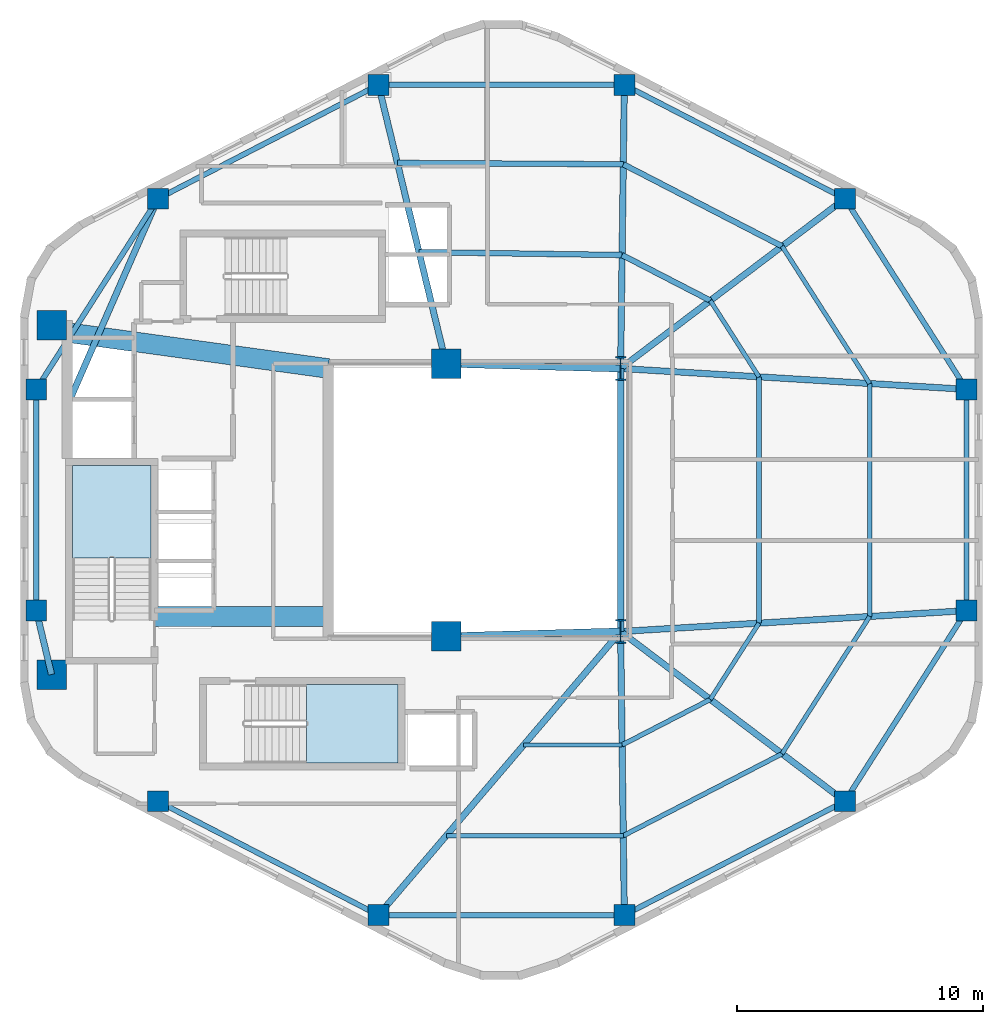
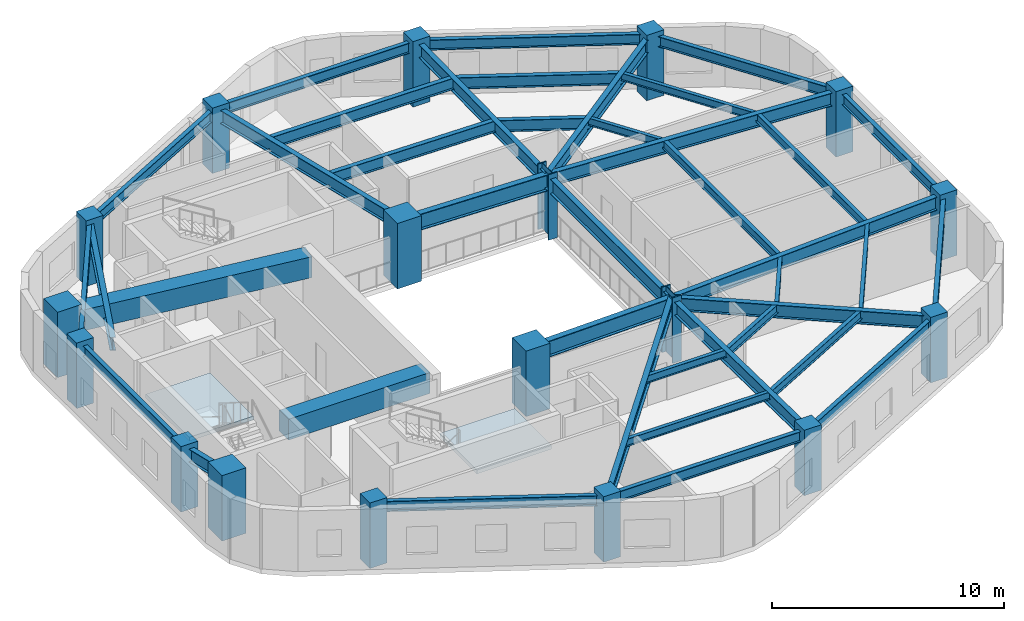
# One storey, part 1 of 6: 40 beams, 18 columns, 2 slabs, 2 elements without a shape of their own.
"""IFC4 building model written with IfcOpenShell, lengths in metres."""

from ifc_helpers import new_model, si_unit, direction, frame, origin, origin_2d, place, context, subcontext, project, spatial, polyline, rectangle, i_section, outline, extrude, material, layer, layer_set, material_profile, profile_set, type_object, element, aggregate, save


model = new_model("IFC4")

# Units and contexts
model_context = context("Model", 3, precision=1e-05, world=origin(), true_north=direction((0.0, 1.0)))
body_context = subcontext(model_context, "Body", "Model", "MODEL_VIEW")
ifc_project = project(units=[si_unit("LENGTHUNIT", "METRE"), si_unit("AREAUNIT", "SQUARE_METRE"), si_unit("VOLUMEUNIT", "CUBIC_METRE"), si_unit("PLANEANGLEUNIT", "RADIAN"), si_unit("MASSUNIT", "GRAM", prefix="KILO"), si_unit("THERMODYNAMICTEMPERATUREUNIT", "KELVIN"), si_unit("POWERUNIT", "WATT")], contexts=[model_context])

# Site, building, storey
site_placement = place(None, origin())
site = spatial("IfcSite", under=ifc_project, at=site_placement, CompositionType="ELEMENT")
building_placement = place(site_placement, origin())
building = spatial("IfcBuilding", under=site, at=building_placement, Name="Skarre Station Tower", CompositionType="ELEMENT")
storey_placement = place(building_placement, frame((0.0, 0.0, 206.800048828125)))
storey = spatial("IfcBuildingStorey", under=building, at=storey_placement, Name="L56", CompositionType="ELEMENT", Elevation=206.800048828125)

# Columns
ifc_material_1 = material(Name="Concrete C60/75", Category="concrete")
ifc_material_profile_1 = material_profile(ifc_material_1, rectangle(XDim=1.199951171875, YDim=1.199951171875, at=origin_2d()), Name="Concrete C60/75")
ifc_profile_set_1 = profile_set([ifc_material_profile_1], Name="Concrete C60/75")
column_type_1 = type_object("IfcColumnType", Name="RC Structural Column RC-COL-1200X1200", PredefinedType="COLUMN", material=ifc_profile_set_1)
for number, where, z_axis, x_axis, name in (
    (1, (16.300048828125, 16.89990234375, 0.0), (0.0, 0.0, 1.0), (1.0, 0.0, 0.0), "L56 Core Column CC-SW"),
    (2, (16.300048828125, 31.10009765625, 0.0), (0.0, 0.0, 1.0), (1.0, 0.0, 0.0), "L56 Core Column CC-NW"),
    (3, (32.35009765625, 18.449951171875, 0.0), (0.0, 0.0, 1.0), (1.0, 0.0, 0.0), "L56 Core Column CC-SE"),
    (4, (32.35009765625, 29.550048828125, 0.0), (0.0, 0.0, 1.0), (1.0, 0.0, 0.0), "L56 Core Column CC-NE"),
):
    element("IfcColumn", number, at=place(storey_placement, frame(where, z_axis=z_axis, x_axis=x_axis)), inside=storey, type_object=column_type_1, Name=name, PredefinedType="COLUMN", context=body_context, shape_type="SweptSolid", body=[
        extrude(rectangle(XDim=1.199951171875, YDim=1.199951171875, at=origin_2d()), origin(), (0.0, 0.0, 1.0), 3.449951171875),
    ])
ifc_material_2 = material(Name="Concrete C50/60", Category="concrete")
ifc_material_profile_2 = material_profile(ifc_material_2, rectangle(XDim=0.85009765625, YDim=0.85009765625, at=origin_2d()), Name="Concrete C50/60")
ifc_profile_set_2 = profile_set([ifc_material_profile_2], Name="Concrete C50/60")
column_type_2 = type_object("IfcColumnType", Name="RC Structural Column RC-COL-850X850", PredefinedType="COLUMN", material=ifc_profile_set_2)
for number, where, z_axis, x_axis, name in (
    (5, (48.573974609375, 36.257080078125, 0.0), (0.0, 0.0, 1.0), (1.0, 0.0, 0.0), "L56 Zone 3 Perimeter Column F0C1"),
    (6, (39.60205078125, 40.887939453125, 0.0), (0.0, 0.0, 1.0), (1.0, 0.0, 0.0), "L56 Zone 3 Perimeter Column F0C2"),
    (7, (29.597900390625, 40.887939453125, 0.0), (0.0, 0.0, 1.0), (1.0, 0.0, 0.0), "L56 Zone 3 Perimeter Column F1C1"),
    (8, (20.6259765625, 36.257080078125, 0.0), (0.0, 0.0, 1.0), (1.0, 0.0, 0.0), "L56 Zone 3 Perimeter Column F1C2"),
    (9, (15.677978515625, 28.5009765625, 0.0), (0.0, 0.0, 1.0), (1.0, 0.0, 0.0), "L56 Zone 3 Perimeter Column F2C1"),
    (10, (15.677978515625, 19.4990234375, 0.0), (0.0, 0.0, 1.0), (1.0, 0.0, 0.0), "L56 Zone 3 Perimeter Column F2C2"),
    (11, (20.6259765625, 11.742919921875, 0.0), (0.0, 0.0, 1.0), (1.0, 0.0, 0.0), "L56 Zone 3 Perimeter Column F3C1"),
    (12, (29.597900390625, 7.112060546875, 0.0), (0.0, 0.0, 1.0), (1.0, 0.0, 0.0), "L56 Zone 3 Perimeter Column F3C2"),
    (13, (39.60205078125, 7.112060546875, 0.0), (0.0, 0.0, 1.0), (1.0, 0.0, 0.0), "L56 Zone 3 Perimeter Column F4C1"),
    (14, (48.573974609375, 11.742919921875, 0.0), (0.0, 0.0, 1.0), (1.0, 0.0, 0.0), "L56 Zone 3 Perimeter Column F4C2"),
    (15, (53.52197265625, 19.4990234375, 0.0), (0.0, 0.0, 1.0), (1.0, 0.0, 0.0), "L56 Zone 3 Perimeter Column F5C1"),
    (16, (53.52197265625, 28.5009765625, 0.0), (0.0, 0.0, 1.0), (1.0, 0.0, 0.0), "L56 Zone 3 Perimeter Column F5C2"),
):
    element("IfcColumn", number, at=place(storey_placement, frame(where, z_axis=z_axis, x_axis=x_axis)), inside=storey, type_object=column_type_2, Name=name, PredefinedType="COLUMN", context=body_context, shape_type="SweptSolid", body=[
        extrude(rectangle(XDim=0.85009765625, YDim=0.85009765625, at=origin_2d()), origin(), (0.0, 0.0, 1.0), 3.449951171875),
    ])
ifc_material_3 = material(Name="Steel ASTM A913 Grade 65", Category="steel")
ifc_material_profile_3 = material_profile(ifc_material_3, i_section(OverallWidth=0.430908203125, OverallDepth=0.987060546875, WebThickness=0.033935546875, FlangeThickness=0.06201171875, at=origin_2d()), Name="Steel ASTM A913 Grade 65")
ifc_profile_set_3 = profile_set([ifc_material_profile_3], Name="Steel ASTM A913 Grade 65")
column_type_3 = type_object("IfcColumnType", Name="Steel Column W36X441", PredefinedType="COLUMN", material=ifc_profile_set_3)
for number, where, z_axis, x_axis, name in (
    (17, (39.449951171875, 18.64990234375, 0.0), (0.0, 0.0, 1.0), (1.0, 0.0, 0.0), "L56 Atrium Spine Column AC-SE"),
    (18, (39.449951171875, 29.35009765625, 0.0), (0.0, 0.0, 1.0), (1.0, 0.0, 0.0), "L56 Atrium Spine Column AC-NE"),
):
    element("IfcColumn", number, at=place(storey_placement, frame(where, z_axis=z_axis, x_axis=x_axis)), inside=storey, type_object=column_type_3, Name=name, PredefinedType="COLUMN", context=body_context, shape_type="SweptSolid", body=[
        extrude(i_section(OverallWidth=0.430908203125, OverallDepth=0.987060546875, WebThickness=0.033935546875, FlangeThickness=0.06201171875, at=origin_2d()), origin(), (0.0, 0.0, 1.0), 3.449951171875),
    ])

# Beams
ifc_material_4 = material(Name="Concrete C70/85", Category="concrete")
ifc_material_profile_4 = material_profile(ifc_material_4, rectangle(XDim=0.800048828125, YDim=1.10009765625, at=origin_2d()), Name="Concrete C70/85")
ifc_profile_set_4 = profile_set([ifc_material_profile_4], Name="Concrete C70/85")
beam_type_1 = type_object("IfcBeamType", Name="RC Core Coupling Lintel 800x1100", PredefinedType="LINTEL", material=ifc_profile_set_4)
beam_1_placement = place(storey_placement, frame((20.489990234375, 19.260009765625, 2.639892578125), z_axis=(1.0, 0.0, 0.0), x_axis=(0.0, 1.0, 0.0)))
element("IfcBeam", 19, at=beam_1_placement, inside=storey, type_object=beam_type_1, Name="L56 South Core Coupling Lintel", PredefinedType="LINTEL", context=body_context, shape_type="SweptSolid", body=[
    extrude(rectangle(XDim=0.800048828125, YDim=1.10009765625, at=origin_2d()), origin(), (0.0, 0.0, 1.0), 7.06005859375),
])
beam_2_placement = place(storey_placement, frame((17.050048828125, 30.800048828125, 2.639892578125), z_axis=(0.990599723633, -0.136792498109, 0.0), x_axis=(0.136792498109, 0.990599723633, 0.0)))
element("IfcBeam", 20, at=beam_2_placement, inside=storey, type_object=beam_type_1, Name="L56 North Core Coupling Lintel", PredefinedType="LINTEL", context=body_context, shape_type="SweptSolid", body=[
    extrude(rectangle(XDim=0.800048828125, YDim=1.10009765625, at=origin_2d()), origin(), (0.0, 0.0, 1.0), 10.599609375),
])
ifc_material_5 = material(Name="Steel ASTM A992 Grade 50", Category="steel")
ifc_material_profile_5 = material_profile(ifc_material_5, i_section(OverallWidth=0.256103515625, OverallDepth=0.693115234375, WebThickness=0.013916015625, FlangeThickness=0.02392578125, at=origin_2d()), Name="Steel ASTM A992 Grade 50")
ifc_profile_set_5 = profile_set([ifc_material_profile_5], Name="Steel ASTM A992 Grade 50")
beam_type_2 = type_object("IfcBeamType", Name="Steel Beam W27X114", PredefinedType="BEAM", material=ifc_profile_set_5)
beam_3_placement = place(storey_placement, frame((39.449951171875, 29.35009765625, 2.843994140625), z_axis=(0.797308988117, 0.603571352425, 0.0), x_axis=(-0.603571352425, 0.797308988117, 0.0)))
element("IfcBeam", 21, at=beam_3_placement, inside=storey, type_object=beam_type_2, Name="L56 Radial Floor Girder F0C1", PredefinedType="BEAM", context=body_context, shape_type="SweptSolid", body=[
    extrude(i_section(OverallWidth=0.256103515625, OverallDepth=0.693115234375, WebThickness=0.013916015625, FlangeThickness=0.02392578125, at=origin_2d()), origin(), (0.0, 0.0, 1.0), 11.443603515625),
])
beam_4_placement = place(storey_placement, frame((39.449951171875, 29.35009765625, 2.843994140625), z_axis=(0.013181528887, 0.999913119874, 0.0), x_axis=(-0.999913119874, 0.013181528887, 0.0)))
element("IfcBeam", 22, at=beam_4_placement, inside=storey, type_object=beam_type_2, Name="L56 Radial Floor Girder F0C2", PredefinedType="BEAM", context=body_context, shape_type="SweptSolid", body=[
    extrude(i_section(OverallWidth=0.256103515625, OverallDepth=0.693115234375, WebThickness=0.013916015625, FlangeThickness=0.02392578125, at=origin_2d()), origin(), (0.0, 0.0, 1.0), 11.538818359375),
])
beam_5_placement = place(storey_placement, frame((32.35009765625, 29.550048828125, 2.843994140625), z_axis=(-0.235892880832, 0.971779063765, 0.0), x_axis=(-0.971779063765, -0.235892880832, 0.0)))
element("IfcBeam", 23, at=beam_5_placement, inside=storey, type_object=beam_type_2, Name="L56 Radial Floor Girder F1C1", PredefinedType="BEAM", context=body_context, shape_type="SweptSolid", body=[
    extrude(i_section(OverallWidth=0.256103515625, OverallDepth=0.693115234375, WebThickness=0.013916015625, FlangeThickness=0.02392578125, at=origin_2d()), origin(), (0.0, 0.0, 1.0), 11.667236328125),
])
beam_6_placement = place(storey_placement, frame((17.010009765625, 28.0, 2.843994140625), z_axis=(0.401144174417, 0.916014929644, 0.0), x_axis=(-0.916014929644, 0.401144174417, 0.0)))
element("IfcBeam", 24, at=beam_6_placement, inside=storey, type_object=beam_type_2, Name="L56 Radial Floor Girder F1C2", PredefinedType="BEAM", context=body_context, shape_type="SweptSolid", body=[
    extrude(i_section(OverallWidth=0.256103515625, OverallDepth=0.693115234375, WebThickness=0.013916015625, FlangeThickness=0.02392578125, at=origin_2d()), origin(), (0.0, 0.0, 1.0), 9.01416015625),
])
beam_7_placement = place(storey_placement, frame((16.300048828125, 16.89990234375, 2.843994140625), z_axis=(-0.232764815072, 0.972533053867, 0.0), x_axis=(-0.972533053867, -0.232764815072, 0.0)))
element("IfcBeam", 25, at=beam_7_placement, inside=storey, type_object=beam_type_2, Name="L56 Radial Floor Girder F2C2", PredefinedType="BEAM", context=body_context, shape_type="SweptSolid", body=[
    extrude(i_section(OverallWidth=0.256103515625, OverallDepth=0.693115234375, WebThickness=0.013916015625, FlangeThickness=0.02392578125, at=origin_2d()), origin(), (0.0, 0.0, 1.0), 2.672607421875),
])
beam_8_placement = place(storey_placement, frame((39.449951171875, 18.64990234375, 2.843994140625), z_axis=(-0.649364312169, -0.760477475065, 0.0), x_axis=(0.760477475065, -0.649364312169, 0.0)))
element("IfcBeam", 26, at=beam_8_placement, inside=storey, type_object=beam_type_2, Name="L56 Radial Floor Girder F3C2", PredefinedType="BEAM", context=body_context, shape_type="SweptSolid", body=[
    extrude(i_section(OverallWidth=0.256103515625, OverallDepth=0.693115234375, WebThickness=0.013916015625, FlangeThickness=0.02392578125, at=origin_2d()), origin(), (0.0, 0.0, 1.0), 15.171875),
])
beam_9_placement = place(storey_placement, frame((39.449951171875, 18.64990234375, 2.843994140625), z_axis=(0.013181528887, -0.999913119874, 0.0), x_axis=(0.999913119874, 0.013181528887, 0.0)))
element("IfcBeam", 27, at=beam_9_placement, inside=storey, type_object=beam_type_2, Name="L56 Radial Floor Girder F4C1", PredefinedType="BEAM", context=body_context, shape_type="SweptSolid", body=[
    extrude(i_section(OverallWidth=0.256103515625, OverallDepth=0.693115234375, WebThickness=0.013916015625, FlangeThickness=0.02392578125, at=origin_2d()), origin(), (0.0, 0.0, 1.0), 11.538818359375),
])
beam_10_placement = place(storey_placement, frame((39.449951171875, 18.64990234375, 2.843994140625), z_axis=(0.797308988117, -0.603571352425, 0.0), x_axis=(0.603571352425, 0.797308988117, 0.0)))
element("IfcBeam", 28, at=beam_10_placement, inside=storey, type_object=beam_type_2, Name="L56 Radial Floor Girder F4C2", PredefinedType="BEAM", context=body_context, shape_type="SweptSolid", body=[
    extrude(i_section(OverallWidth=0.256103515625, OverallDepth=0.693115234375, WebThickness=0.013916015625, FlangeThickness=0.02392578125, at=origin_2d()), origin(), (0.0, 0.0, 1.0), 11.443603515625),
])
for number, where, z_axis, x_axis, name in (
    (29, (39.449951171875, 18.64990234375, 2.843994140625), (0.998184432941, 0.060231535207, 0.0), (-0.060231535207, 0.998184432941, 0.0), "L56 Radial Floor Girder F5C1"),
    (30, (39.449951171875, 29.35009765625, 2.843994140625), (0.998184432941, -0.060231535207, 0.0), (0.060231535207, 0.998184432941, 0.0), "L56 Radial Floor Girder F5C2"),
):
    element("IfcBeam", number, at=place(storey_placement, frame(where, z_axis=z_axis, x_axis=x_axis)), inside=storey, type_object=beam_type_2, Name=name, PredefinedType="BEAM", context=body_context, shape_type="SweptSolid", body=[
        extrude(i_section(OverallWidth=0.256103515625, OverallDepth=0.693115234375, WebThickness=0.013916015625, FlangeThickness=0.02392578125, at=origin_2d()), origin(), (0.0, 0.0, 1.0), 14.09765625),
    ])
ifc_material_profile_6 = material_profile(ifc_material_5, i_section(OverallWidth=0.26806640625, OverallDepth=0.77001953125, WebThickness=0.01611328125, FlangeThickness=0.02490234375, at=origin_2d()), Name="Steel ASTM A992 Grade 50")
ifc_profile_set_6 = profile_set([ifc_material_profile_6], Name="Steel ASTM A992 Grade 50")
beam_type_3 = type_object("IfcBeamType", Name="Steel Beam W30X132", PredefinedType="BEAM", material=ifc_profile_set_6)
beam_11_placement = place(storey_placement, frame((39.449951171875, 18.64990234375, 2.804931640625), z_axis=(0.0, 1.0, 0.0), x_axis=(-1.0, 0.0, 0.0)))
element("IfcBeam", 31, at=beam_11_placement, inside=storey, type_object=beam_type_3, Name="L56 Atrium East Edge Girder", PredefinedType="BEAM", context=body_context, shape_type="SweptSolid", body=[
    extrude(i_section(OverallWidth=0.26806640625, OverallDepth=0.77001953125, WebThickness=0.01611328125, FlangeThickness=0.02490234375, at=origin_2d()), origin(), (0.0, 0.0, 1.0), 10.7001953125),
])
ifc_material_profile_7 = material_profile(ifc_material_5, i_section(OverallWidth=0.2919921875, OverallDepth=0.85888671875, WebThickness=0.01708984375, FlangeThickness=0.031005859375, at=origin_2d()), Name="Steel ASTM A992 Grade 50")
ifc_profile_set_7 = profile_set([ifc_material_profile_7], Name="Steel ASTM A992 Grade 50")
beam_type_4 = type_object("IfcBeamType", Name="Steel Beam W33X169", PredefinedType="BEAM", material=ifc_profile_set_7)
for number, where, z_axis, x_axis, name in (
    (32, (32.35009765625, 18.449951171875, 2.760986328125), (0.999603666405, 0.028151556095, 0.0), (-0.028151556095, 0.999603666405, 0.0), "L56 Atrium South Edge Girder"),
    (33, (32.35009765625, 29.550048828125, 2.760986328125), (0.999603666405, -0.028151556095, 0.0), (0.028151556095, 0.999603666405, 0.0), "L56 Atrium North Edge Girder"),
):
    element("IfcBeam", number, at=place(storey_placement, frame(where, z_axis=z_axis, x_axis=x_axis)), inside=storey, type_object=beam_type_4, Name=name, PredefinedType="BEAM", context=body_context, shape_type="SweptSolid", body=[
        extrude(i_section(OverallWidth=0.2919921875, OverallDepth=0.85888671875, WebThickness=0.01708984375, FlangeThickness=0.031005859375, at=origin_2d()), origin(), (0.0, 0.0, 1.0), 7.102783203125),
    ])
ifc_material_profile_8 = material_profile(ifc_material_5, i_section(OverallWidth=0.177978515625, OverallDepth=0.403076171875, WebThickness=0.008056640625, FlangeThickness=0.010986328125, at=origin_2d()), Name="Steel ASTM A992 Grade 50")
ifc_profile_set_8 = profile_set([ifc_material_profile_8], Name="Steel ASTM A992 Grade 50")
beam_type_5 = type_object("IfcBeamType", Name="Steel Joist W16X36", PredefinedType="JOIST", material=ifc_profile_set_8)
beam_12_placement = place(storey_placement, frame((35.509033203125, 14.034912109375, 2.988037109375), z_axis=(1.0, 0.0, 0.0), x_axis=(0.0, 1.0, 0.0)))
element("IfcBeam", 34, at=beam_12_placement, inside=storey, type_object=beam_type_5, Name="L56 Auxiliary Composite Joist 7", PredefinedType="JOIST", context=body_context, shape_type="SweptSolid", body=[
    extrude(i_section(OverallWidth=0.177978515625, OverallDepth=0.403076171875, WebThickness=0.008056640625, FlangeThickness=0.010986328125, at=origin_2d()), origin(), (0.0, 0.0, 1.0), 4.001953125),
])
beam_13_placement = place(storey_placement, frame((32.35693359375, 10.343017578125, 2.988037109375), z_axis=(1.0, 0.0, 0.0), x_axis=(0.0, 1.0, 0.0)))
element("IfcBeam", 35, at=beam_13_placement, inside=storey, type_object=beam_type_5, Name="L56 Auxiliary Composite Joist 8", PredefinedType="JOIST", context=body_context, shape_type="SweptSolid", body=[
    extrude(i_section(OverallWidth=0.177978515625, OverallDepth=0.403076171875, WebThickness=0.008056640625, FlangeThickness=0.010986328125, at=origin_2d()), origin(), (0.0, 0.0, 1.0), 7.2021484375),
])
beam_14_placement = place(storey_placement, frame((43.10009765625, 15.886962890625, 2.988037109375), z_axis=(0.537716516977, 0.843125700812, 0.0), x_axis=(-0.843125700812, 0.537716516977, 0.0)))
element("IfcBeam", 36, at=beam_14_placement, inside=storey, type_object=beam_type_5, Name="L56 Auxiliary Composite Joist 11", PredefinedType="JOIST", context=body_context, shape_type="SweptSolid", body=[
    extrude(i_section(OverallWidth=0.177978515625, OverallDepth=0.403076171875, WebThickness=0.008056640625, FlangeThickness=0.010986328125, at=origin_2d()), origin(), (0.0, 0.0, 1.0), 3.680419921875),
])
beam_15_placement = place(storey_placement, frame((46.01904296875, 13.677001953125, 2.988037109375), z_axis=(0.537900605588, 0.843008267165, 0.0), x_axis=(-0.843008267165, 0.537900605588, 0.0)))
element("IfcBeam", 37, at=beam_15_placement, inside=storey, type_object=beam_type_5, Name="L56 Auxiliary Composite Joist 12", PredefinedType="JOIST", context=body_context, shape_type="SweptSolid", body=[
    extrude(i_section(OverallWidth=0.177978515625, OverallDepth=0.403076171875, WebThickness=0.008056640625, FlangeThickness=0.010986328125, at=origin_2d()), origin(), (0.0, 0.0, 1.0), 6.623779296875),
])
beam_16_placement = place(storey_placement, frame((45.0791015625, 29.010009765625, 2.988037109375), z_axis=(-0.537716516977, 0.843125700812, 0.0), x_axis=(-0.843125700812, -0.537716516977, 0.0)))
element("IfcBeam", 38, at=beam_16_placement, inside=storey, type_object=beam_type_5, Name="L56 Auxiliary Composite Joist 15", PredefinedType="JOIST", context=body_context, shape_type="SweptSolid", body=[
    extrude(i_section(OverallWidth=0.177978515625, OverallDepth=0.403076171875, WebThickness=0.008056640625, FlangeThickness=0.010986328125, at=origin_2d()), origin(), (0.0, 0.0, 1.0), 3.680419921875),
])
beam_17_placement = place(storey_placement, frame((49.58203125, 28.739013671875, 2.988037109375), z_axis=(-0.537900605588, 0.843008267165, 0.0), x_axis=(-0.843008267165, -0.537900605588, 0.0)))
element("IfcBeam", 39, at=beam_17_placement, inside=storey, type_object=beam_type_5, Name="L56 Auxiliary Composite Joist 16", PredefinedType="JOIST", context=body_context, shape_type="SweptSolid", body=[
    extrude(i_section(OverallWidth=0.177978515625, OverallDepth=0.403076171875, WebThickness=0.008056640625, FlangeThickness=0.010986328125, at=origin_2d()), origin(), (0.0, 0.0, 1.0), 6.623779296875),
])
ifc_material_profile_9 = material_profile(ifc_material_5, i_section(OverallWidth=0.19091796875, OverallDepth=0.45703125, WebThickness=0.009033203125, FlangeThickness=0.013916015625, at=origin_2d()), Name="Steel ASTM A992 Grade 50")
ifc_profile_set_9 = profile_set([ifc_material_profile_9], Name="Steel ASTM A992 Grade 50")
beam_type_6 = type_object("IfcBeamType", Name="Steel Joist W18X50", PredefinedType="JOIST", material=ifc_profile_set_9)
beam_18_placement = place(storey_placement, frame((39.510986328125, 14.034912109375, 2.9619140625), z_axis=(0.888660390105, 0.458565928803, 0.0), x_axis=(-0.458565928803, 0.888660390105, 0.0)))
element("IfcBeam", 40, at=beam_18_placement, inside=storey, type_object=beam_type_6, Name="L56 Auxiliary Composite Joist 9", PredefinedType="JOIST", context=body_context, shape_type="SweptSolid", body=[
    extrude(i_section(OverallWidth=0.19091796875, OverallDepth=0.45703125, WebThickness=0.009033203125, FlangeThickness=0.013916015625, at=origin_2d()), origin(), (0.0, 0.0, 1.0), 4.038818359375),
])
beam_19_placement = place(storey_placement, frame((39.55908203125, 10.343017578125, 2.9619140625), z_axis=(0.88863125356, 0.458622388459, 0.0), x_axis=(-0.458622388459, 0.88863125356, 0.0)))
element("IfcBeam", 41, at=beam_19_placement, inside=storey, type_object=beam_type_6, Name="L56 Auxiliary Composite Joist 10", PredefinedType="JOIST", context=body_context, shape_type="SweptSolid", body=[
    extrude(i_section(OverallWidth=0.19091796875, OverallDepth=0.45703125, WebThickness=0.009033203125, FlangeThickness=0.013916015625, at=origin_2d()), origin(), (0.0, 0.0, 1.0), 7.26953125),
])
beam_20_placement = place(storey_placement, frame((45.0791015625, 18.989990234375, 2.9619140625), z_axis=(0.0, 1.0, 0.0), x_axis=(-1.0, 0.0, 0.0)))
element("IfcBeam", 42, at=beam_20_placement, inside=storey, type_object=beam_type_6, Name="L56 Auxiliary Composite Joist 13", PredefinedType="JOIST", context=body_context, shape_type="SweptSolid", body=[
    extrude(i_section(OverallWidth=0.19091796875, OverallDepth=0.45703125, WebThickness=0.009033203125, FlangeThickness=0.013916015625, at=origin_2d()), origin(), (0.0, 0.0, 1.0), 10.02001953125),
])
beam_21_placement = place(storey_placement, frame((49.58203125, 19.260986328125, 2.9619140625), z_axis=(0.0, 1.0, 0.0), x_axis=(-1.0, 0.0, 0.0)))
element("IfcBeam", 43, at=beam_21_placement, inside=storey, type_object=beam_type_6, Name="L56 Auxiliary Composite Joist 14", PredefinedType="JOIST", context=body_context, shape_type="SweptSolid", body=[
    extrude(i_section(OverallWidth=0.19091796875, OverallDepth=0.45703125, WebThickness=0.009033203125, FlangeThickness=0.013916015625, at=origin_2d()), origin(), (0.0, 0.0, 1.0), 9.47802734375),
])
ifc_material_profile_10 = material_profile(ifc_material_5, i_section(OverallWidth=0.22802734375, OverallDepth=0.60791015625, WebThickness=0.010986328125, FlangeThickness=0.01708984375, at=origin_2d()), Name="Steel ASTM A992 Grade 50")
ifc_profile_set_10 = profile_set([ifc_material_profile_10], Name="Steel ASTM A992 Grade 50")
beam_type_7 = type_object("IfcBeamType", Name="Steel Joist W24X76", PredefinedType="JOIST", material=ifc_profile_set_10)
beam_22_placement = place(storey_placement, frame((43.10009765625, 32.113037109375, 2.885986328125), z_axis=(-0.888660390105, 0.458565928803, 0.0), x_axis=(-0.458565928803, -0.888660390105, 0.0)))
element("IfcBeam", 44, at=beam_22_placement, inside=storey, type_object=beam_type_7, Name="L56 Secondary Floor Joist 1", PredefinedType="JOIST", context=body_context, shape_type="SweptSolid", body=[
    extrude(i_section(OverallWidth=0.22802734375, OverallDepth=0.60791015625, WebThickness=0.010986328125, FlangeThickness=0.01708984375, at=origin_2d()), origin(), (0.0, 0.0, 1.0), 4.038818359375),
])
beam_23_placement = place(storey_placement, frame((46.01904296875, 34.322998046875, 2.885986328125), z_axis=(-0.88863125356, 0.458622388459, 0.0), x_axis=(-0.458622388459, -0.88863125356, 0.0)))
element("IfcBeam", 45, at=beam_23_placement, inside=storey, type_object=beam_type_7, Name="L56 Secondary Floor Joist 2", PredefinedType="JOIST", context=body_context, shape_type="SweptSolid", body=[
    extrude(i_section(OverallWidth=0.22802734375, OverallDepth=0.60791015625, WebThickness=0.010986328125, FlangeThickness=0.01708984375, at=origin_2d()), origin(), (0.0, 0.0, 1.0), 7.26953125),
])
beam_24_placement = place(storey_placement, frame((39.510986328125, 33.965087890625, 2.885986328125), z_axis=(-0.999894760676, 0.014507500591, 0.0), x_axis=(-0.014507500591, -0.999894760676, 0.0)))
element("IfcBeam", 46, at=beam_24_placement, inside=storey, type_object=beam_type_7, Name="L56 Secondary Floor Joist 3", PredefinedType="JOIST", context=body_context, shape_type="SweptSolid", body=[
    extrude(i_section(OverallWidth=0.22802734375, OverallDepth=0.60791015625, WebThickness=0.010986328125, FlangeThickness=0.01708984375, at=origin_2d()), origin(), (0.0, 0.0, 1.0), 8.262939453125),
])
beam_25_placement = place(storey_placement, frame((39.55908203125, 37.656982421875, 2.885986328125), z_axis=(-0.99998149622, 0.006083355807, 0.0), x_axis=(-0.006083355807, -0.99998149622, 0.0)))
element("IfcBeam", 47, at=beam_25_placement, inside=storey, type_object=beam_type_7, Name="L56 Secondary Floor Joist 4", PredefinedType="JOIST", context=body_context, shape_type="SweptSolid", body=[
    extrude(i_section(OverallWidth=0.22802734375, OverallDepth=0.60791015625, WebThickness=0.010986328125, FlangeThickness=0.01708984375, at=origin_2d()), origin(), (0.0, 0.0, 1.0), 9.1904296875),
])
ifc_material_profile_11 = material_profile(ifc_material_5, i_section(OverallWidth=0.214111328125, OverallDepth=0.549072265625, WebThickness=0.014892578125, FlangeThickness=0.02392578125, at=origin_2d()), Name="Steel ASTM A992 Grade 50")
ifc_profile_set_11 = profile_set([ifc_material_profile_11], Name="Steel ASTM A992 Grade 50")
beam_type_8 = type_object("IfcBeamType", Name="Steel Spandrel W21X93", PredefinedType="SPANDREL", material=ifc_profile_set_11)
beam_26_placement = place(storey_placement, frame((48.573974609375, 36.257080078125, 2.916015625), z_axis=(-0.888613027226, 0.458657702262, 0.0), x_axis=(-0.458657702262, -0.888613027226, 0.0)))
element("IfcBeam", 48, at=beam_26_placement, inside=storey, type_object=beam_type_8, Name="L56 Facet Spandrel Beam 1", PredefinedType="SPANDREL", context=body_context, shape_type="SweptSolid", body=[
    extrude(i_section(OverallWidth=0.214111328125, OverallDepth=0.549072265625, WebThickness=0.014892578125, FlangeThickness=0.02392578125, at=origin_2d()), origin(), (0.0, 0.0, 1.0), 10.096435546875),
])
beam_27_placement = place(storey_placement, frame((39.60205078125, 40.887939453125, 2.916015625), z_axis=(-1.0, 0.0, 0.0), x_axis=(0.0, -1.0, 0.0)))
element("IfcBeam", 49, at=beam_27_placement, inside=storey, type_object=beam_type_8, Name="L56 Facet Spandrel Beam 2", PredefinedType="SPANDREL", context=body_context, shape_type="SweptSolid", body=[
    extrude(i_section(OverallWidth=0.214111328125, OverallDepth=0.549072265625, WebThickness=0.014892578125, FlangeThickness=0.02392578125, at=origin_2d()), origin(), (0.0, 0.0, 1.0), 10.004150390625),
])
beam_28_placement = place(storey_placement, frame((29.597900390625, 40.887939453125, 2.916015625), z_axis=(-0.888613027226, -0.458657702262, 0.0), x_axis=(0.458657702262, -0.888613027226, 0.0)))
element("IfcBeam", 50, at=beam_28_placement, inside=storey, type_object=beam_type_8, Name="L56 Facet Spandrel Beam 3", PredefinedType="SPANDREL", context=body_context, shape_type="SweptSolid", body=[
    extrude(i_section(OverallWidth=0.214111328125, OverallDepth=0.549072265625, WebThickness=0.014892578125, FlangeThickness=0.02392578125, at=origin_2d()), origin(), (0.0, 0.0, 1.0), 10.096435546875),
])
beam_29_placement = place(storey_placement, frame((20.6259765625, 36.257080078125, 2.916015625), z_axis=(-0.537826426158, -0.843055594445, 0.0), x_axis=(0.843055594445, -0.537826426158, 0.0)))
element("IfcBeam", 51, at=beam_29_placement, inside=storey, type_object=beam_type_8, Name="L56 Facet Spandrel Beam 4", PredefinedType="SPANDREL", context=body_context, shape_type="SweptSolid", body=[
    extrude(i_section(OverallWidth=0.214111328125, OverallDepth=0.549072265625, WebThickness=0.014892578125, FlangeThickness=0.02392578125, at=origin_2d()), origin(), (0.0, 0.0, 1.0), 9.199951171875),
])
beam_30_placement = place(storey_placement, frame((15.677978515625, 28.5009765625, 2.916015625), z_axis=(0.0, -1.0, 0.0), x_axis=(1.0, 0.0, 0.0)))
element("IfcBeam", 52, at=beam_30_placement, inside=storey, type_object=beam_type_8, Name="L56 Facet Spandrel Beam 5", PredefinedType="SPANDREL", context=body_context, shape_type="SweptSolid", body=[
    extrude(i_section(OverallWidth=0.214111328125, OverallDepth=0.549072265625, WebThickness=0.014892578125, FlangeThickness=0.02392578125, at=origin_2d()), origin(), (0.0, 0.0, 1.0), 9.001953125),
])
beam_31_placement = place(storey_placement, frame((20.6259765625, 11.742919921875, 2.916015625), z_axis=(0.888613027226, -0.458657702262, 0.0), x_axis=(0.458657702262, 0.888613027226, 0.0)))
element("IfcBeam", 53, at=beam_31_placement, inside=storey, type_object=beam_type_8, Name="L56 Facet Spandrel Beam 7", PredefinedType="SPANDREL", context=body_context, shape_type="SweptSolid", body=[
    extrude(i_section(OverallWidth=0.214111328125, OverallDepth=0.549072265625, WebThickness=0.014892578125, FlangeThickness=0.02392578125, at=origin_2d()), origin(), (0.0, 0.0, 1.0), 10.096435546875),
])
beam_32_placement = place(storey_placement, frame((29.597900390625, 7.112060546875, 2.916015625), z_axis=(1.0, 0.0, 0.0), x_axis=(0.0, 1.0, 0.0)))
element("IfcBeam", 54, at=beam_32_placement, inside=storey, type_object=beam_type_8, Name="L56 Facet Spandrel Beam 8", PredefinedType="SPANDREL", context=body_context, shape_type="SweptSolid", body=[
    extrude(i_section(OverallWidth=0.214111328125, OverallDepth=0.549072265625, WebThickness=0.014892578125, FlangeThickness=0.02392578125, at=origin_2d()), origin(), (0.0, 0.0, 1.0), 10.004150390625),
])
beam_33_placement = place(storey_placement, frame((39.60205078125, 7.112060546875, 2.916015625), z_axis=(0.888613027226, 0.458657702262, 0.0), x_axis=(-0.458657702262, 0.888613027226, 0.0)))
element("IfcBeam", 55, at=beam_33_placement, inside=storey, type_object=beam_type_8, Name="L56 Facet Spandrel Beam 9", PredefinedType="SPANDREL", context=body_context, shape_type="SweptSolid", body=[
    extrude(i_section(OverallWidth=0.214111328125, OverallDepth=0.549072265625, WebThickness=0.014892578125, FlangeThickness=0.02392578125, at=origin_2d()), origin(), (0.0, 0.0, 1.0), 10.096435546875),
])
beam_34_placement = place(storey_placement, frame((48.573974609375, 11.742919921875, 2.916015625), z_axis=(0.537826426158, 0.843055594445, 0.0), x_axis=(-0.843055594445, 0.537826426158, 0.0)))
element("IfcBeam", 56, at=beam_34_placement, inside=storey, type_object=beam_type_8, Name="L56 Facet Spandrel Beam 10", PredefinedType="SPANDREL", context=body_context, shape_type="SweptSolid", body=[
    extrude(i_section(OverallWidth=0.214111328125, OverallDepth=0.549072265625, WebThickness=0.014892578125, FlangeThickness=0.02392578125, at=origin_2d()), origin(), (0.0, 0.0, 1.0), 9.199951171875),
])
beam_35_placement = place(storey_placement, frame((53.52197265625, 19.4990234375, 2.916015625), z_axis=(0.0, 1.0, 0.0), x_axis=(-1.0, 0.0, 0.0)))
element("IfcBeam", 57, at=beam_35_placement, inside=storey, type_object=beam_type_8, Name="L56 Facet Spandrel Beam 11", PredefinedType="SPANDREL", context=body_context, shape_type="SweptSolid", body=[
    extrude(i_section(OverallWidth=0.214111328125, OverallDepth=0.549072265625, WebThickness=0.014892578125, FlangeThickness=0.02392578125, at=origin_2d()), origin(), (0.0, 0.0, 1.0), 9.001953125),
])
beam_36_placement = place(storey_placement, frame((53.52197265625, 28.5009765625, 2.916015625), z_axis=(-0.537826426158, 0.843055594445, 0.0), x_axis=(-0.843055594445, -0.537826426158, 0.0)))
element("IfcBeam", 58, at=beam_36_placement, inside=storey, type_object=beam_type_8, Name="L56 Facet Spandrel Beam 12", PredefinedType="SPANDREL", context=body_context, shape_type="SweptSolid", body=[
    extrude(i_section(OverallWidth=0.214111328125, OverallDepth=0.549072265625, WebThickness=0.014892578125, FlangeThickness=0.02392578125, at=origin_2d()), origin(), (0.0, 0.0, 1.0), 9.199951171875),
])

# Stair, slab
ifc_material_6 = material(Name="Concrete C40/50", Category="concrete")
stair_type_1 = type_object("IfcStairType", Name="Reinforced Concrete Exit Stair ST-1", PredefinedType="HALF_TURN_STAIR", material=ifc_material_6)
stair_1_placement = place(storey_placement, origin())
stair_1 = element("IfcStair", 59, at=stair_1_placement, inside=storey, type_object=stair_type_1, Name="L56 Core Exit Stair ST-1", PredefinedType="HALF_TURN_STAIR")
ifc_layer = layer(ifc_material_6, 0.219970703125, Name="Concrete C40/50")
ifc_layer_set = layer_set([ifc_layer], Name="Concrete C40/50")
slab_type = type_object("IfcSlabType", Name="Reinforced Concrete Stair & Ramp Landing 220", PredefinedType="LANDING", material=ifc_layer_set)
slab_1_placement = place(storey_placement, frame((0.0, 0.0, 1.52490234375)))
slab_1 = element("IfcSlab", 60, at=slab_1_placement, type_object=slab_type, Name="ST-1 landing 1", PredefinedType="LANDING", context=body_context, shape_type="SweptSolid", body=[
    extrude(outline(polyline([(20.35009765625, 21.639892578125), (20.35009765625, 25.39990234375), (17.14990234375, 25.39990234375), (17.14990234375, 21.639892578125), (20.35009765625, 21.639892578125)])), origin(), (0.0, 0.0, 1.0), 0.199951171875),
])
aggregate(stair_1, [slab_1])

stair_type_2 = type_object("IfcStairType", Name="Reinforced Concrete Exit Stair ST-2", PredefinedType="HALF_TURN_STAIR", material=ifc_material_6)
stair_2_placement = place(storey_placement, origin())
stair_2 = element("IfcStair", 61, at=stair_2_placement, inside=storey, type_object=stair_type_2, Name="L56 Core Exit Stair ST-2", PredefinedType="HALF_TURN_STAIR")
slab_2_placement = place(storey_placement, frame((0.0, 0.0, 1.52490234375)))
slab_2 = element("IfcSlab", 62, at=slab_2_placement, type_object=slab_type, Name="ST-2 landing 1", PredefinedType="LANDING", context=body_context, shape_type="SweptSolid", body=[
    extrude(outline(polyline([(26.669921875, 13.300048828125), (30.39990234375, 13.300048828125), (30.39990234375, 16.5), (26.669921875, 16.5), (26.669921875, 13.300048828125)])), origin(), (0.0, 0.0, 1.0), 0.199951171875),
])
aggregate(stair_2, [slab_2])

save(model, "model.ifc")
